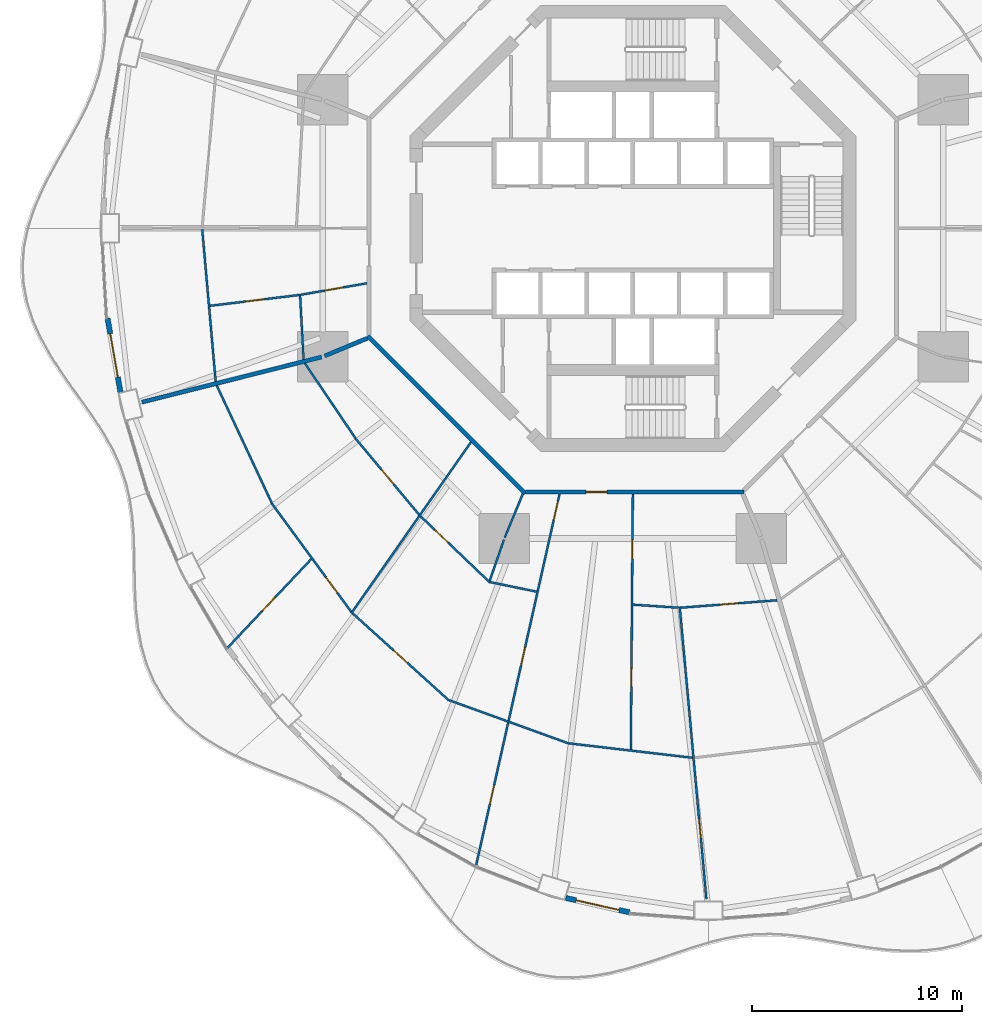
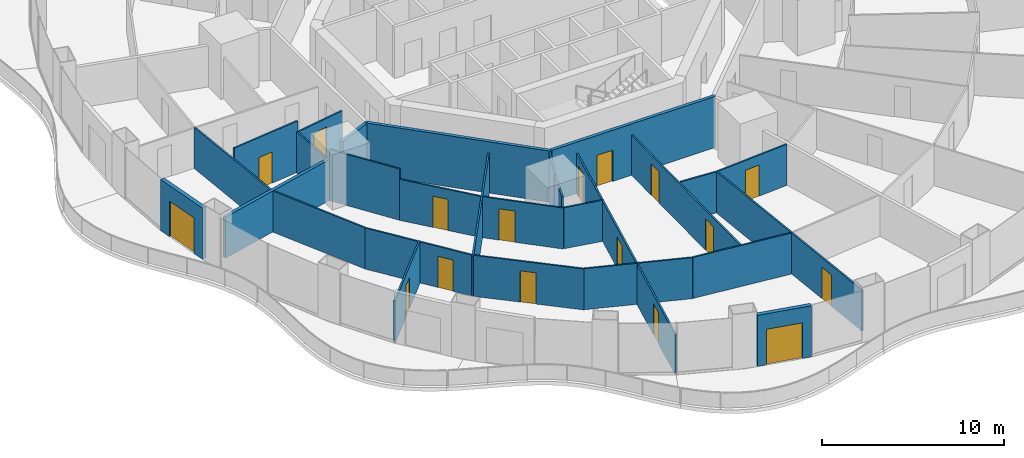
# One storey, part 14 of 22: 28 walls, 17 doors, 17 openings.
"""IFC4 building model written with IfcOpenShell, lengths in metres."""

from ifc_helpers import new_model, si_unit, direction, frame, frame_2d, origin, place, context, subcontext, project, spatial, rectangle, extrude, material, layer, layer_set, type_object, element, fill, save


model = new_model("IFC4")

# Units and contexts
model_context = context("Model", 3, precision=1e-05, world=origin(), true_north=direction((0.0, 1.0)))
body_context = subcontext(model_context, "Body", "Model", "MODEL_VIEW")
ifc_project = project(units=[si_unit("LENGTHUNIT", "METRE"), si_unit("AREAUNIT", "SQUARE_METRE"), si_unit("VOLUMEUNIT", "CUBIC_METRE"), si_unit("PLANEANGLEUNIT", "RADIAN"), si_unit("MASSUNIT", "GRAM", prefix="KILO")], contexts=[model_context])

# Site, building, storey
site_placement = place(None, origin())
site = spatial("IfcSite", under=ifc_project, at=site_placement, CompositionType="ELEMENT")
building_placement = place(site_placement, origin())
building = spatial("IfcBuilding", under=site, at=building_placement, Name="Nagisa Residences", CompositionType="ELEMENT")
storey_placement = place(building_placement, frame((0.0, 0.0, 52.89990234375)))
storey = spatial("IfcBuildingStorey", under=building, at=storey_placement, Name="L12", CompositionType="ELEMENT", Elevation=52.89990234375)

# Walls
ifc_material_1 = material(Name="Gypsum board on steel studs", Category="steel")
ifc_layer_1 = layer(ifc_material_1, 0.199951171875)
ifc_layer_set_1 = layer_set([ifc_layer_1], Name="Apartment compartment wall EI60 200")
wall_type_1 = type_object("IfcWallType", Name="Apartment compartment wall EI60 200", PredefinedType="PARTITIONING", material=ifc_layer_set_1)
wall_1_placement = place(storey_placement, frame((-12.6572265625, -5.24267578125, 0.0), z_axis=(0.0, 0.0, 1.0), x_axis=(-0.923885664896, -0.382668627144, 0.0)))
element("IfcWall", 1, at=wall_1_placement, inside=storey, type_object=wall_type_1, Name="wall:L12:u06", PredefinedType="PARTITIONING", context=body_context, shape_type="SweptSolid", body=[
    extrude(rectangle(XDim=2.200439453125, YDim=0.199951171875, at=frame_2d((1.10009765625, 0.0))), origin(), (0.0, 0.0, 1.0), 3.440185546875),
])
wall_2_placement = place(storey_placement, frame((-14.83056640625, -6.135009765625, 0.0), z_axis=(0.0, 0.0, 1.0), x_axis=(-0.969884949569, -0.243563512454, 0.0)))
element("IfcWall", 2, at=wall_2_placement, inside=storey, type_object=wall_type_1, Name="wall:L12:u07", PredefinedType="PARTITIONING", context=body_context, shape_type="SweptSolid", body=[
    extrude(rectangle(XDim=8.828857421875, YDim=0.199951171875, at=frame_2d((4.41455078125, 0.0))), origin(), (0.0, 0.0, 1.0), 2.756103515625),
])
ifc_material_2 = material(Name="Gypsum board on steel studs", Category="steel")
ifc_layer_2 = layer(ifc_material_2, 0.199951171875)
ifc_layer_set_2 = layer_set([ifc_layer_2], Name="Apartment entry wall EI60 200")
wall_type_2 = type_object("IfcWallType", Name="Apartment entry wall EI60 200", PredefinedType="PARTITIONING", material=ifc_layer_set_2)
wall_3_placement = place(storey_placement, frame((-12.635498046875, -5.1337890625, 0.0), z_axis=(0.0, 0.0, 1.0), x_axis=(0.707106781187, -0.707106781187, 0.0)))
element("IfcWall", 3, at=wall_3_placement, inside=storey, type_object=wall_type_2, Name="wall:L12:u15", PredefinedType="PARTITIONING", context=body_context, shape_type="SweptSolid", body=[
    extrude(rectangle(XDim=10.609130859375, YDim=0.199951171875, at=frame_2d((5.3046875, 0.0))), origin(), (0.0, 0.0, 1.0), 3.440185546875),
])

# Wall, opening, door
wall_4_placement = place(storey_placement, frame((-5.1044921875, -12.564697265625, 0.0), z_axis=(0.0, 0.0, 1.0), x_axis=(1.0, 0.0, 0.0)))
wall_4 = element("IfcWall", 4, at=wall_4_placement, inside=storey, type_object=wall_type_2, Name="wall:L12:u16", PredefinedType="PARTITIONING", context=body_context, shape_type="SweptSolid", body=[
    extrude(rectangle(XDim=10.408935546875, YDim=0.199951171875, at=frame_2d((5.20458984375, 0.0))), origin(), (0.0, 0.0, 1.0), 3.440185546875),
])
opening_1_placement = place(wall_4_placement, frame((2.86962890625, 0.0, 0.0)))
opening_1 = element("IfcOpeningElement", 5, at=opening_1_placement, cuts=wall_4, Name="Opening L12-U15", PredefinedType="OPENING", context=body_context, shape_type="SweptSolid", body=[
    extrude(rectangle(XDim=1.0, YDim=2.10009765625, at=frame_2d((0.5, 1.050048828125))), frame((0.0, 0.10986328125, 0.0), z_axis=(0.0, -1.0, 0.0), x_axis=(1.0, 0.0, 0.0)), (0.0, 0.0, 1.0), 0.219970703125),
])
ifc_material_3 = material(Name="Timber fire door set", Category="wood")
door_type_1 = type_object("IfcDoorType", Name="Apartment entry door FD30S 1000x2100", OperationType="NOTDEFINED", PredefinedType="DOOR", material=ifc_material_3)
door_1_placement = place(opening_1_placement, frame((1.0, 0.0, 0.0), x_axis=(-1.0, 0.0, 0.0)))
door_1 = element("IfcDoor", 6, at=door_1_placement, inside=storey, type_object=door_type_1, Name="Entry door, Apartment 12C", OperationType="SINGLE_SWING_RIGHT", OverallHeight=2.10009765625, OverallWidth=1.0, PredefinedType="DOOR", context=body_context, shape_type="SweptSolid", body=[
    extrude(rectangle(XDim=1.0, YDim=2.10009765625, at=frame_2d((0.5, 1.050048828125))), frame((0.0, 0.02490234375, 0.0), z_axis=(0.0, -1.0, 0.0), x_axis=(1.0, 0.0, 0.0)), (0.0, 0.0, 1.0), 0.050048828125),
])
fill(opening_1, door_1)

# Wall
ifc_material_4 = material(Name="Gypsum board on steel studs", Category="steel")
ifc_layer_3 = layer(ifc_material_4, 0.10009765625)
ifc_layer_set_3 = layer_set([ifc_layer_3], Name="Apartment partition 100")
wall_type_3 = type_object("IfcWallType", Name="Apartment partition 100", PredefinedType="PARTITIONING", material=ifc_layer_set_3)
wall_5_placement = place(storey_placement, frame((-20.518310546875, -0.0498046875, 0.0), z_axis=(0.0, 0.0, 1.0), x_axis=(0.088143415068, -0.996107794558, 0.0)))
element("IfcWall", 7, at=wall_5_placement, inside=storey, type_object=wall_type_3, Name="wall:L12:u56", PredefinedType="PARTITIONING", context=body_context, shape_type="SweptSolid", body=[
    extrude(rectangle(XDim=7.279052734375, YDim=0.10009765625, at=frame_2d((3.6396484375, 0.0))), origin(), (0.0, 0.0, 1.0), 2.756103515625),
])

# Wall, opening, door
wall_6_placement = place(storey_placement, frame((-12.663330078125, -2.619384765625, 0.0), z_axis=(0.0, 0.0, 1.0), x_axis=(-0.985220176102, -0.171292745325, 0.0)))
wall_6 = element("IfcWall", 8, at=wall_6_placement, inside=storey, type_object=wall_type_3, Name="wall:L12:u57", PredefinedType="PARTITIONING", context=body_context, shape_type="SweptSolid", body=[
    extrude(rectangle(XDim=3.191162109375, YDim=0.10009765625, at=frame_2d((1.595703125, 0.0))), origin(), (0.0, 0.0, 1.0), 2.68701171875),
])
opening_2_placement = place(wall_6_placement, frame((1.1455078125, 0.0, 0.0)))
opening_2 = element("IfcOpeningElement", 9, at=opening_2_placement, cuts=wall_6, Name="Opening L12-U10", PredefinedType="OPENING", context=body_context, shape_type="SweptSolid", body=[
    extrude(rectangle(XDim=0.89990234375, YDim=2.10009765625, at=frame_2d((0.449951171875, 1.050048828125))), frame((0.0, 0.06005859375, 0.0), z_axis=(0.0, -1.0, 0.0), x_axis=(1.0, 0.0, 0.0)), (0.0, 0.0, 1.0), 0.1201171875),
])
ifc_material_5 = material(Name="Timber door set", Category="wood")
door_type_2 = type_object("IfcDoorType", Name="Apartment door 900x2100", OperationType="NOTDEFINED", PredefinedType="DOOR", material=ifc_material_5)
door_2_placement = place(opening_2_placement, origin())
door_2 = element("IfcDoor", 10, at=door_2_placement, inside=storey, type_object=door_type_2, Name="Door to family bathroom, Apartment 12B", OperationType="SINGLE_SWING_RIGHT", OverallHeight=2.10009765625, OverallWidth=0.89990234375, PredefinedType="DOOR", context=body_context, shape_type="SweptSolid", body=[
    extrude(rectangle(XDim=0.89990234375, YDim=2.10009765625, at=frame_2d((0.449951171875, 1.050048828125))), frame((0.0, 0.02490234375, 0.0), z_axis=(0.0, -1.0, 0.0), x_axis=(1.0, 0.0, 0.0)), (0.0, 0.0, 1.0), 0.050048828125),
])
fill(opening_2, door_2)

wall_7_placement = place(storey_placement, frame((-15.806884765625, -3.16845703125, 0.0), z_axis=(0.0, 0.0, 1.0), x_axis=(-0.992741666002, -0.120266306938, 0.0)))
wall_7 = element("IfcWall", 11, at=wall_7_placement, inside=storey, type_object=wall_type_3, Name="wall:L12:u58", PredefinedType="PARTITIONING", context=body_context, shape_type="SweptSolid", body=[
    extrude(rectangle(XDim=4.37060546875, YDim=0.10009765625, at=frame_2d((2.185302734375, 0.0))), origin(), (0.0, 0.0, 1.0), 3.440185546875),
])
opening_3_placement = place(wall_7_placement, frame((1.76025390625, 0.0, 0.0)))
opening_3 = element("IfcOpeningElement", 12, at=opening_3_placement, cuts=wall_7, Name="Opening L12-U12", PredefinedType="OPENING", context=body_context, shape_type="SweptSolid", body=[
    extrude(rectangle(XDim=0.89990234375, YDim=2.10009765625, at=frame_2d((0.449951171875, 1.050048828125))), frame((0.0, 0.06005859375, 0.0), z_axis=(0.0, -1.0, 0.0), x_axis=(1.0, 0.0, 0.0)), (0.0, 0.0, 1.0), 0.1201171875),
])
door_3_placement = place(opening_3_placement, origin())
door_3 = element("IfcDoor", 13, at=door_3_placement, inside=storey, type_object=door_type_2, Name="Door to family bathroom, Apartment 12B", OperationType="SINGLE_SWING_RIGHT", OverallHeight=2.10009765625, OverallWidth=0.89990234375, PredefinedType="DOOR", context=body_context, shape_type="SweptSolid", body=[
    extrude(rectangle(XDim=0.89990234375, YDim=2.10009765625, at=frame_2d((0.449951171875, 1.050048828125))), frame((0.0, 0.02490234375, 0.0), z_axis=(0.0, -1.0, 0.0), x_axis=(1.0, 0.0, 0.0)), (0.0, 0.0, 1.0), 0.050048828125),
])
fill(opening_3, door_3)

# Walls
wall_8_placement = place(storey_placement, frame((-15.853759765625, -3.224609375, 0.0), z_axis=(0.0, 0.0, 1.0), x_axis=(0.054644199943, -0.998505889523, 0.0)))
element("IfcWall", 14, at=wall_8_placement, inside=storey, type_object=wall_type_3, Name="wall:L12:u59", PredefinedType="PARTITIONING", context=body_context, shape_type="SweptSolid", body=[
    extrude(rectangle(XDim=3.029296875, YDim=0.10009765625, at=frame_2d((1.5146484375, 0.0))), origin(), (0.0, 0.0, 1.0), 2.756103515625),
])
wall_9_placement = place(storey_placement, frame((-15.626953125, -6.43212890625, 0.0), z_axis=(0.0, 0.0, 1.0), x_axis=(0.559112679527, -0.829091678641, 0.0)))
element("IfcWall", 15, at=wall_9_placement, inside=storey, type_object=wall_type_3, Name="wall:L12:u60", PredefinedType="PARTITIONING", context=body_context, shape_type="SweptSolid", body=[
    extrude(rectangle(XDim=4.30810546875, YDim=0.10009765625, at=frame_2d((2.154052734375, 0.0))), origin(), (0.0, 0.0, 1.0), 3.440185546875),
])
wall_10_placement = place(storey_placement, frame((-19.82568359375, -7.49072265625, 0.0), z_axis=(0.0, 0.0, 1.0), x_axis=(0.423926333401, -0.905696673202, 0.0)))
element("IfcWall", 16, at=wall_10_placement, inside=storey, type_object=wall_type_3, Name="wall:L12:u61", PredefinedType="PARTITIONING", context=body_context, shape_type="SweptSolid", body=[
    extrude(rectangle(XDim=6.1875, YDim=0.10009765625, at=frame_2d((3.09375, 0.0))), origin(), (0.0, 0.0, 1.0), 2.756103515625),
])

# Wall, opening, door
wall_11_placement = place(storey_placement, frame((-13.222412109375, -10.0068359375, 0.0), z_axis=(0.0, 0.0, 1.0), x_axis=(0.640807748916, -0.767701393075, 0.0)))
wall_11 = element("IfcWall", 17, at=wall_11_placement, inside=storey, type_object=wall_type_3, Name="wall:L12:u62", PredefinedType="PARTITIONING", context=body_context, shape_type="SweptSolid", body=[
    extrude(rectangle(XDim=4.73681640625, YDim=0.10009765625, at=frame_2d((2.368408203125, 0.0))), origin(), (0.0, 0.0, 1.0), 2.756103515625),
])
opening_4_placement = place(wall_11_placement, frame((1.943359375, 0.0, 0.0)))
opening_4 = element("IfcOpeningElement", 18, at=opening_4_placement, cuts=wall_11, Name="Opening L12-U27", PredefinedType="OPENING", context=body_context, shape_type="SweptSolid", body=[
    extrude(rectangle(XDim=0.89990234375, YDim=2.10009765625, at=frame_2d((0.449951171875, 1.050048828125))), frame((0.0, 0.06005859375, 0.0), z_axis=(0.0, -1.0, 0.0), x_axis=(1.0, 0.0, 0.0)), (0.0, 0.0, 1.0), 0.1201171875),
])
door_4_placement = place(opening_4_placement, origin())
door_4 = element("IfcDoor", 19, at=door_4_placement, inside=storey, type_object=door_type_2, Name="Door to laundry, Apartment 12C", OperationType="SINGLE_SWING_LEFT", OverallHeight=2.10009765625, OverallWidth=0.89990234375, PredefinedType="DOOR", context=body_context, shape_type="SweptSolid", body=[
    extrude(rectangle(XDim=0.89990234375, YDim=2.10009765625, at=frame_2d((0.449951171875, 1.050048828125))), frame((0.0, 0.02490234375, 0.0), z_axis=(0.0, -1.0, 0.0), x_axis=(1.0, 0.0, 0.0)), (0.0, 0.0, 1.0), 0.050048828125),
])
fill(opening_4, door_4)

wall_12_placement = place(storey_placement, frame((-17.2109375, -13.099609375, 0.0), z_axis=(0.0, 0.0, 1.0), x_axis=(0.591206785834, -0.806520016109, 0.0)))
wall_12 = element("IfcWall", 20, at=wall_12_placement, inside=storey, type_object=wall_type_3, Name="wall:L12:u63", PredefinedType="PARTITIONING", context=body_context, shape_type="SweptSolid", body=[
    extrude(rectangle(XDim=6.409912109375, YDim=0.10009765625, at=frame_2d((3.205078125, 0.0))), origin(), (0.0, 0.0, 1.0), 2.756103515625),
])
opening_5_placement = place(wall_12_placement, frame((4.382568359375, 0.0, 0.0)))
opening_5 = element("IfcOpeningElement", 21, at=opening_5_placement, cuts=wall_12, Name="Opening L12-U25", PredefinedType="OPENING", context=body_context, shape_type="SweptSolid", body=[
    extrude(rectangle(XDim=0.89990234375, YDim=2.10009765625, at=frame_2d((0.449951171875, 1.050048828125))), frame((0.0, 0.06005859375, 0.0), z_axis=(0.0, -1.0, 0.0), x_axis=(1.0, 0.0, 0.0)), (0.0, 0.0, 1.0), 0.1201171875),
])
door_5_placement = place(opening_5_placement, origin())
door_5 = element("IfcDoor", 22, at=door_5_placement, inside=storey, type_object=door_type_2, Name="Door to dining room, Apartment 12C", OperationType="SINGLE_SWING_LEFT", OverallHeight=2.10009765625, OverallWidth=0.89990234375, PredefinedType="DOOR", context=body_context, shape_type="SweptSolid", body=[
    extrude(rectangle(XDim=0.89990234375, YDim=2.10009765625, at=frame_2d((0.449951171875, 1.050048828125))), frame((0.0, 0.02490234375, 0.0), z_axis=(0.0, -1.0, 0.0), x_axis=(1.0, 0.0, 0.0)), (0.0, 0.0, 1.0), 0.050048828125),
])
fill(opening_5, door_5)

wall_13_placement = place(storey_placement, frame((-15.321044921875, -15.76123046875, 0.0), z_axis=(0.0, 0.0, 1.0), x_axis=(-0.686519245775, -0.727111631856, 0.0)))
wall_13 = element("IfcWall", 23, at=wall_13_placement, inside=storey, type_object=wall_type_3, Name="wall:L12:u64", PredefinedType="PARTITIONING", context=body_context, shape_type="SweptSolid", body=[
    extrude(rectangle(XDim=5.912109375, YDim=0.10009765625, at=frame_2d((2.9560546875, 0.0))), origin(), (0.0, 0.0, 1.0), 2.837158203125),
])
opening_6_placement = place(wall_13_placement, frame((2.506103515625, 0.0, 0.0)))
opening_6 = element("IfcOpeningElement", 24, at=opening_6_placement, cuts=wall_13, Name="Opening L12-U26", PredefinedType="OPENING", context=body_context, shape_type="SweptSolid", body=[
    extrude(rectangle(XDim=0.89990234375, YDim=2.10009765625, at=frame_2d((0.449951171875, 1.050048828125))), frame((0.0, 0.06005859375, 0.0), z_axis=(0.0, -1.0, 0.0), x_axis=(1.0, 0.0, 0.0)), (0.0, 0.0, 1.0), 0.1201171875),
])
door_6_placement = place(opening_6_placement, frame((0.89990234375, 0.0, 0.0), x_axis=(-1.0, 0.0, 0.0)))
door_6 = element("IfcDoor", 25, at=door_6_placement, inside=storey, type_object=door_type_2, Name="Door to master bedroom, Apartment 12C", OperationType="SINGLE_SWING_LEFT", OverallHeight=2.10009765625, OverallWidth=0.89990234375, PredefinedType="DOOR", context=body_context, shape_type="SweptSolid", body=[
    extrude(rectangle(XDim=0.89990234375, YDim=2.10009765625, at=frame_2d((0.449951171875, 1.050048828125))), frame((0.0, 0.02490234375, 0.0), z_axis=(0.0, -1.0, 0.0), x_axis=(1.0, 0.0, 0.0)), (0.0, 0.0, 1.0), 0.050048828125),
])
fill(opening_6, door_6)

# Wall
wall_14_placement = place(storey_placement, frame((-7.71533203125, -10.193359375, 0.0), z_axis=(0.0, 0.0, 1.0), x_axis=(-0.573126502256, -0.819466907454, 0.0)))
element("IfcWall", 26, at=wall_14_placement, inside=storey, type_object=wall_type_3, Name="wall:L12:u65", PredefinedType="PARTITIONING", context=body_context, shape_type="SweptSolid", body=[
    extrude(rectangle(XDim=9.954345703125, YDim=0.10009765625, at=frame_2d((4.97705078125, 0.0))), origin(), (0.0, 0.0, 1.0), 2.68701171875),
])

# Wall, opening, door
wall_15_placement = place(storey_placement, frame((-10.118896484375, -13.716064453125, 0.0), z_axis=(0.0, 0.0, 1.0), x_axis=(0.722763212502, -0.69109575216, 0.0)))
wall_15 = element("IfcWall", 27, at=wall_15_placement, inside=storey, type_object=wall_type_3, Name="wall:L12:u66", PredefinedType="PARTITIONING", context=body_context, shape_type="SweptSolid", body=[
    extrude(rectangle(XDim=4.587158203125, YDim=0.10009765625, at=frame_2d((2.29345703125, 0.0))), origin(), (0.0, 0.0, 1.0), 2.756103515625),
])
opening_7_placement = place(wall_15_placement, frame((0.9375, 0.0, 0.0)))
opening_7 = element("IfcOpeningElement", 28, at=opening_7_placement, cuts=wall_15, Name="Opening L12-U24", PredefinedType="OPENING", context=body_context, shape_type="SweptSolid", body=[
    extrude(rectangle(XDim=0.89990234375, YDim=2.10009765625, at=frame_2d((0.449951171875, 1.050048828125))), frame((0.0, 0.06005859375, 0.0), z_axis=(0.0, -1.0, 0.0), x_axis=(1.0, 0.0, 0.0)), (0.0, 0.0, 1.0), 0.1201171875),
])
door_7_placement = place(opening_7_placement, origin())
door_7 = element("IfcDoor", 29, at=door_7_placement, inside=storey, type_object=door_type_2, Name="Door to store, Apartment 12C", OperationType="SINGLE_SWING_RIGHT", OverallHeight=2.10009765625, OverallWidth=0.89990234375, PredefinedType="DOOR", context=body_context, shape_type="SweptSolid", body=[
    extrude(rectangle(XDim=0.89990234375, YDim=2.10009765625, at=frame_2d((0.449951171875, 1.050048828125))), frame((0.0, 0.02490234375, 0.0), z_axis=(0.0, -1.0, 0.0), x_axis=(1.0, 0.0, 0.0)), (0.0, 0.0, 1.0), 0.050048828125),
])
fill(opening_7, door_7)

wall_16_placement = place(storey_placement, frame((-13.354736328125, -18.34326171875, 0.0), z_axis=(0.0, 0.0, 1.0), x_axis=(0.741720189244, -0.670709445936, 0.0)))
wall_16 = element("IfcWall", 30, at=wall_16_placement, inside=storey, type_object=wall_type_3, Name="wall:L12:u67", PredefinedType="PARTITIONING", context=body_context, shape_type="SweptSolid", body=[
    extrude(rectangle(XDim=6.209228515625, YDim=0.10009765625, at=frame_2d((3.1044921875, 0.0))), origin(), (0.0, 0.0, 1.0), 2.756103515625),
])
opening_8_placement = place(wall_16_placement, frame((2.629638671875, 0.0, 0.0)))
opening_8 = element("IfcOpeningElement", 31, at=opening_8_placement, cuts=wall_16, Name="Opening L12-U21", PredefinedType="OPENING", context=body_context, shape_type="SweptSolid", body=[
    extrude(rectangle(XDim=0.89990234375, YDim=2.10009765625, at=frame_2d((0.449951171875, 1.050048828125))), frame((0.0, 0.06005859375, 0.0), z_axis=(0.0, -1.0, 0.0), x_axis=(1.0, 0.0, 0.0)), (0.0, 0.0, 1.0), 0.1201171875),
])
door_8_placement = place(opening_8_placement, frame((0.89990234375, 0.0, 0.0), x_axis=(-1.0, 0.0, 0.0)))
door_8 = element("IfcDoor", 32, at=door_8_placement, inside=storey, type_object=door_type_2, Name="Door to living room, Apartment 12C", OperationType="SINGLE_SWING_RIGHT", OverallHeight=2.10009765625, OverallWidth=0.89990234375, PredefinedType="DOOR", context=body_context, shape_type="SweptSolid", body=[
    extrude(rectangle(XDim=0.89990234375, YDim=2.10009765625, at=frame_2d((0.449951171875, 1.050048828125))), frame((0.0, 0.02490234375, 0.0), z_axis=(0.0, -1.0, 0.0), x_axis=(1.0, 0.0, 0.0)), (0.0, 0.0, 1.0), 0.050048828125),
])
fill(opening_8, door_8)

# Walls
wall_17_placement = place(storey_placement, frame((-5.24267578125, -12.6572265625, 0.0), z_axis=(0.0, 0.0, 1.0), x_axis=(-0.382719158442, -0.923864733477, 0.0)))
element("IfcWall", 33, at=wall_17_placement, inside=storey, type_object=wall_type_3, Name="wall:L12:u68", PredefinedType="PARTITIONING", context=body_context, shape_type="SweptSolid", body=[
    extrude(rectangle(XDim=2.25, YDim=0.10009765625, at=frame_2d((1.125, 0.0))), origin(), (0.0, 0.0, 1.0), 3.440185546875),
])
wall_18_placement = place(storey_placement, frame((-6.139404296875, -14.829833984375, 0.0), z_axis=(0.0, 0.0, 1.0), x_axis=(-0.327246993321, -0.944938836837, 0.0)))
element("IfcWall", 34, at=wall_18_placement, inside=storey, type_object=wall_type_3, Name="wall:L12:u69", PredefinedType="PARTITIONING", context=body_context, shape_type="SweptSolid", body=[
    extrude(rectangle(XDim=2.089599609375, YDim=0.10009765625, at=frame_2d((1.044921875, 0.0))), origin(), (0.0, 0.0, 1.0), 3.440185546875),
])
wall_19_placement = place(storey_placement, frame((-6.79052734375, -16.861572265625, 0.0), z_axis=(0.0, 0.0, 1.0), x_axis=(0.979581941859, -0.201045316246, 0.0)))
element("IfcWall", 35, at=wall_19_placement, inside=storey, type_object=wall_type_3, Name="wall:L12:u70", PredefinedType="PARTITIONING", context=body_context, shape_type="SweptSolid", body=[
    extrude(rectangle(XDim=2.25634765625, YDim=0.10009765625, at=frame_2d((1.128173828125, 0.0))), origin(), (0.0, 0.0, 1.0), 2.756103515625),
])
wall_20_placement = place(storey_placement, frame((-8.7392578125, -22.4912109375, 0.0), z_axis=(0.0, 0.0, 1.0), x_axis=(0.940401691072, -0.340065669288, 0.0)))
element("IfcWall", 36, at=wall_20_placement, inside=storey, type_object=wall_type_3, Name="wall:L12:u71", PredefinedType="PARTITIONING", context=body_context, shape_type="SweptSolid", body=[
    extrude(rectangle(XDim=6.067138671875, YDim=0.10009765625, at=frame_2d((3.03369140625, 0.0))), origin(), (0.0, 0.0, 1.0), 2.756103515625),
])

# Wall, openings, doors
wall_21_placement = place(storey_placement, frame((-3.49169921875, -12.662353515625, 0.0), z_axis=(0.0, 0.0, 1.0), x_axis=(-0.219268088006, -0.975664648115, 0.0)))
wall_21 = element("IfcWall", 37, at=wall_21_placement, inside=storey, type_object=wall_type_3, Name="wall:L12:u72", PredefinedType="PARTITIONING", context=body_context, shape_type="SweptSolid", body=[
    extrude(rectangle(XDim=18.230224609375, YDim=0.10009765625, at=frame_2d((9.115234375, 0.0))), origin(), (0.0, 0.0, 1.0), 2.68701171875),
])
opening_9_placement = place(wall_21_placement, frame((0.35009765625, 0.0, 0.0)))
opening_9 = element("IfcOpeningElement", 38, at=opening_9_placement, cuts=wall_21, Name="Opening L12-U16", PredefinedType="OPENING", context=body_context, shape_type="SweptSolid", body=[
    extrude(rectangle(XDim=0.89990234375, YDim=2.10009765625, at=frame_2d((0.449951171875, 1.050048828125))), frame((0.0, 0.06005859375, 0.0), z_axis=(0.0, -1.0, 0.0), x_axis=(1.0, 0.0, 0.0)), (0.0, 0.0, 1.0), 0.1201171875),
])
opening_10_placement = place(wall_21_placement, frame((7.49658203125, 0.0, 0.0)))
opening_10 = element("IfcOpeningElement", 39, at=opening_10_placement, cuts=wall_21, Name="Opening L12-U18", PredefinedType="OPENING", context=body_context, shape_type="SweptSolid", body=[
    extrude(rectangle(XDim=0.89990234375, YDim=2.10009765625, at=frame_2d((0.449951171875, 1.050048828125))), frame((0.0, 0.06005859375, 0.0), z_axis=(0.0, -1.0, 0.0), x_axis=(1.0, 0.0, 0.0)), (0.0, 0.0, 1.0), 0.1201171875),
])
opening_11_placement = place(wall_21_placement, frame((14.22265625, 0.0, 0.0)))
opening_11 = element("IfcOpeningElement", 40, at=opening_11_placement, cuts=wall_21, Name="Opening L12-U22", PredefinedType="OPENING", context=body_context, shape_type="SweptSolid", body=[
    extrude(rectangle(XDim=0.89990234375, YDim=2.10009765625, at=frame_2d((0.449951171875, 1.050048828125))), frame((0.0, 0.06005859375, 0.0), z_axis=(0.0, -1.0, 0.0), x_axis=(1.0, 0.0, 0.0)), (0.0, 0.0, 1.0), 0.1201171875),
])
door_9_placement = place(opening_9_placement, frame((0.89990234375, 0.0, 0.0), x_axis=(-1.0, 0.0, 0.0)))
door_9 = element("IfcDoor", 41, at=door_9_placement, inside=storey, type_object=door_type_2, Name="Door to family bathroom, Apartment 12C", OperationType="SINGLE_SWING_LEFT", OverallHeight=2.10009765625, OverallWidth=0.89990234375, PredefinedType="DOOR", context=body_context, shape_type="SweptSolid", body=[
    extrude(rectangle(XDim=0.89990234375, YDim=2.10009765625, at=frame_2d((0.449951171875, 1.050048828125))), frame((0.0, 0.02490234375, 0.0), z_axis=(0.0, -1.0, 0.0), x_axis=(1.0, 0.0, 0.0)), (0.0, 0.0, 1.0), 0.050048828125),
])
fill(opening_9, door_9)
door_10_placement = place(opening_10_placement, frame((0.89990234375, 0.0, 0.0), x_axis=(-1.0, 0.0, 0.0)))
door_10 = element("IfcDoor", 42, at=door_10_placement, inside=storey, type_object=door_type_2, Name="Door to family room, Apartment 12C", OperationType="SINGLE_SWING_LEFT", OverallHeight=2.10009765625, OverallWidth=0.89990234375, PredefinedType="DOOR", context=body_context, shape_type="SweptSolid", body=[
    extrude(rectangle(XDim=0.89990234375, YDim=2.10009765625, at=frame_2d((0.449951171875, 1.050048828125))), frame((0.0, 0.02490234375, 0.0), z_axis=(0.0, -1.0, 0.0), x_axis=(1.0, 0.0, 0.0)), (0.0, 0.0, 1.0), 0.050048828125),
])
fill(opening_10, door_10)
door_11_placement = place(opening_11_placement, origin())
door_11 = element("IfcDoor", 43, at=door_11_placement, inside=storey, type_object=door_type_2, Name="Door to dining room, Apartment 12C", OperationType="SINGLE_SWING_RIGHT", OverallHeight=2.10009765625, OverallWidth=0.89990234375, PredefinedType="DOOR", context=body_context, shape_type="SweptSolid", body=[
    extrude(rectangle(XDim=0.89990234375, YDim=2.10009765625, at=frame_2d((0.449951171875, 1.050048828125))), frame((0.0, 0.02490234375, 0.0), z_axis=(0.0, -1.0, 0.0), x_axis=(1.0, 0.0, 0.0)), (0.0, 0.0, 1.0), 0.050048828125),
])
fill(opening_11, door_11)

# Wall
wall_22_placement = place(storey_placement, frame((-3.03125, -24.543212890625, 0.0), z_axis=(0.0, 0.0, 1.0), x_axis=(0.993255612046, -0.115945198862, 0.0)))
element("IfcWall", 44, at=wall_22_placement, inside=storey, type_object=wall_type_3, Name="wall:L12:u73", PredefinedType="PARTITIONING", context=body_context, shape_type="SweptSolid", body=[
    extrude(rectangle(XDim=5.91259765625, YDim=0.10009765625, at=frame_2d((2.956298828125, 0.0))), origin(), (0.0, 0.0, 1.0), 2.756103515625),
])

# Wall, openings, doors
wall_23_placement = place(storey_placement, frame((-0.000732421875, -12.664794921875, 0.0), z_axis=(0.0, 0.0, 1.0), x_axis=(-0.007702417287, -0.999970335944, 0.0)))
wall_23 = element("IfcWall", 45, at=wall_23_placement, inside=storey, type_object=wall_type_3, Name="wall:L12:u74", PredefinedType="PARTITIONING", context=body_context, shape_type="SweptSolid", body=[
    extrude(rectangle(XDim=12.17138671875, YDim=0.10009765625, at=frame_2d((6.085693359375, 0.0))), origin(), (0.0, 0.0, 1.0), 2.68701171875),
])
opening_12_placement = place(wall_23_placement, frame((2.182861328125, 0.0, 0.0)))
opening_12 = element("IfcOpeningElement", 46, at=opening_12_placement, cuts=wall_23, Name="Opening L12-U17", PredefinedType="OPENING", context=body_context, shape_type="SweptSolid", body=[
    extrude(rectangle(XDim=0.89990234375, YDim=2.10009765625, at=frame_2d((0.449951171875, 1.050048828125))), frame((0.0, 0.06005859375, 0.0), z_axis=(0.0, -1.0, 0.0), x_axis=(1.0, 0.0, 0.0)), (0.0, 0.0, 1.0), 0.1201171875),
])
opening_13_placement = place(wall_23_placement, frame((8.268798828125, 0.0, 0.0)))
opening_13 = element("IfcOpeningElement", 47, at=opening_13_placement, cuts=wall_23, Name="Opening L12-U19", PredefinedType="OPENING", context=body_context, shape_type="SweptSolid", body=[
    extrude(rectangle(XDim=0.89990234375, YDim=2.10009765625, at=frame_2d((0.449951171875, 1.050048828125))), frame((0.0, 0.06005859375, 0.0), z_axis=(0.0, -1.0, 0.0), x_axis=(1.0, 0.0, 0.0)), (0.0, 0.0, 1.0), 0.1201171875),
])
door_12_placement = place(opening_12_placement, origin())
door_12 = element("IfcDoor", 48, at=door_12_placement, inside=storey, type_object=door_type_2, Name="Door to store, Apartment 12C", OperationType="SINGLE_SWING_LEFT", OverallHeight=2.10009765625, OverallWidth=0.89990234375, PredefinedType="DOOR", context=body_context, shape_type="SweptSolid", body=[
    extrude(rectangle(XDim=0.89990234375, YDim=2.10009765625, at=frame_2d((0.449951171875, 1.050048828125))), frame((0.0, 0.02490234375, 0.0), z_axis=(0.0, -1.0, 0.0), x_axis=(1.0, 0.0, 0.0)), (0.0, 0.0, 1.0), 0.050048828125),
])
fill(opening_12, door_12)
door_13_placement = place(opening_13_placement, origin())
door_13 = element("IfcDoor", 49, at=door_13_placement, inside=storey, type_object=door_type_2, Name="Door to family bathroom, Apartment 12C", OperationType="SINGLE_SWING_LEFT", OverallHeight=2.10009765625, OverallWidth=0.89990234375, PredefinedType="DOOR", context=body_context, shape_type="SweptSolid", body=[
    extrude(rectangle(XDim=0.89990234375, YDim=2.10009765625, at=frame_2d((0.449951171875, 1.050048828125))), frame((0.0, 0.02490234375, 0.0), z_axis=(0.0, -1.0, 0.0), x_axis=(1.0, 0.0, 0.0)), (0.0, 0.0, 1.0), 0.050048828125),
])
fill(opening_13, door_13)

# Wall
wall_24_placement = place(storey_placement, frame((0.008544921875, -17.933837890625, 0.0), z_axis=(0.0, 0.0, 1.0), x_axis=(0.997794542617, -0.066378089183, 0.0)))
element("IfcWall", 50, at=wall_24_placement, inside=storey, type_object=wall_type_3, Name="wall:L12:u75", PredefinedType="PARTITIONING", context=body_context, shape_type="SweptSolid", body=[
    extrude(rectangle(XDim=2.184814453125, YDim=0.10009765625, at=frame_2d((1.09228515625, 0.0))), origin(), (0.0, 0.0, 1.0), 2.756103515625),
])

# Wall, opening, door
wall_25_placement = place(storey_placement, frame((2.23388671875, -18.032470703125, 0.0), z_axis=(0.0, 0.0, 1.0), x_axis=(0.090891502968, -0.995860800859, 0.0)))
wall_25 = element("IfcWall", 51, at=wall_25_placement, inside=storey, type_object=wall_type_3, Name="wall:L12:u76", PredefinedType="PARTITIONING", context=body_context, shape_type="SweptSolid", body=[
    extrude(rectangle(XDim=13.983642578125, YDim=0.10009765625, at=frame_2d((6.99169921875, 0.0))), origin(), (0.0, 0.0, 1.0), 2.756103515625),
])
opening_14_placement = place(wall_25_placement, frame((10.157958984375, 0.0, 0.0)))
opening_14 = element("IfcOpeningElement", 52, at=opening_14_placement, cuts=wall_25, Name="Opening L12-U23", PredefinedType="OPENING", context=body_context, shape_type="SweptSolid", body=[
    extrude(rectangle(XDim=0.89990234375, YDim=2.10009765625, at=frame_2d((0.449951171875, 1.050048828125))), frame((0.0, 0.06005859375, 0.0), z_axis=(0.0, -1.0, 0.0), x_axis=(1.0, 0.0, 0.0)), (0.0, 0.0, 1.0), 0.1201171875),
])
door_14_placement = place(opening_14_placement, origin())
door_14 = element("IfcDoor", 53, at=door_14_placement, inside=storey, type_object=door_type_2, Name="Door to master bedroom, Apartment 12C", OperationType="SINGLE_SWING_LEFT", OverallHeight=2.10009765625, OverallWidth=0.89990234375, PredefinedType="DOOR", context=body_context, shape_type="SweptSolid", body=[
    extrude(rectangle(XDim=0.89990234375, YDim=2.10009765625, at=frame_2d((0.449951171875, 1.050048828125))), frame((0.0, 0.02490234375, 0.0), z_axis=(0.0, -1.0, 0.0), x_axis=(1.0, 0.0, 0.0)), (0.0, 0.0, 1.0), 0.050048828125),
])
fill(opening_14, door_14)

wall_26_placement = place(storey_placement, frame((2.288330078125, -18.078369140625, 0.0), z_axis=(0.0, 0.0, 1.0), x_axis=(0.99701850123, 0.077162868047, 0.0)))
wall_26 = element("IfcWall", 54, at=wall_26_placement, inside=storey, type_object=wall_type_3, Name="wall:L12:u77", PredefinedType="PARTITIONING", context=body_context, shape_type="SweptSolid", body=[
    extrude(rectangle(XDim=4.603515625, YDim=0.10009765625, at=frame_2d((2.3017578125, 0.0))), origin(), (0.0, 0.0, 1.0), 2.756103515625),
])
opening_15_placement = place(wall_26_placement, frame((1.851806640625, 0.0, 0.0)))
opening_15 = element("IfcOpeningElement", 55, at=opening_15_placement, cuts=wall_26, Name="Opening L12-U20", PredefinedType="OPENING", context=body_context, shape_type="SweptSolid", body=[
    extrude(rectangle(XDim=0.89990234375, YDim=2.10009765625, at=frame_2d((0.449951171875, 1.050048828125))), frame((0.0, 0.06005859375, 0.0), z_axis=(0.0, -1.0, 0.0), x_axis=(1.0, 0.0, 0.0)), (0.0, 0.0, 1.0), 0.1201171875),
])
door_15_placement = place(opening_15_placement, frame((0.89990234375, 0.0, 0.0), x_axis=(-1.0, 0.0, 0.0)))
door_15 = element("IfcDoor", 56, at=door_15_placement, inside=storey, type_object=door_type_2, Name="Door to kitchen, Apartment 12C", OperationType="SINGLE_SWING_LEFT", OverallHeight=2.10009765625, OverallWidth=0.89990234375, PredefinedType="DOOR", context=body_context, shape_type="SweptSolid", body=[
    extrude(rectangle(XDim=0.89990234375, YDim=2.10009765625, at=frame_2d((0.449951171875, 1.050048828125))), frame((0.0, 0.02490234375, 0.0), z_axis=(0.0, -1.0, 0.0), x_axis=(1.0, 0.0, 0.0)), (0.0, 0.0, 1.0), 0.050048828125),
])
fill(opening_15, door_15)

ifc_material_6 = material(Name="Precast concrete C40/50", Category="concrete")
ifc_layer_4 = layer(ifc_material_6, 0.25)
ifc_layer_set_4 = layer_set([ifc_layer_4], Name="BALCONY DOOR WALL 250")
wall_type_4 = type_object("IfcWallType", Name="BALCONY DOOR WALL 250", PredefinedType="SOLIDWALL", material=ifc_layer_set_4)
wall_27_placement = place(storey_placement, frame((-24.4091796875, -7.830078125, 0.0), z_axis=(0.0, 0.0, 1.0), x_axis=(-0.172217377323, 0.98505897029, 0.0)))
wall_27 = element("IfcWall", 57, at=wall_27_placement, inside=storey, type_object=wall_type_4, Name="wall:L12:bay25", PredefinedType="SOLIDWALL", context=body_context, shape_type="SweptSolid", body=[
    extrude(rectangle(XDim=3.597900390625, YDim=0.25, at=frame_2d((1.798828125, 0.0))), origin(), (0.0, 0.0, 1.0), 3.440185546875),
])
opening_16_placement = place(wall_27_placement, frame((0.7490234375, 0.0, 0.0)))
opening_16 = element("IfcOpeningElement", 58, at=opening_16_placement, cuts=wall_27, Name="Opening BD-L12-09", PredefinedType="OPENING", context=body_context, shape_type="SweptSolid", body=[
    extrude(rectangle(XDim=2.10009765625, YDim=2.39990234375, at=frame_2d((1.050048828125, 1.199951171875))), frame((0.0, 0.135009765625, 0.0), z_axis=(0.0, -1.0, 0.0), x_axis=(1.0, 0.0, 0.0)), (0.0, 0.0, 1.0), 0.27001953125),
])
ifc_material_7 = material(Name="Aluminium and clear glass", Category="aluminium")
door_type_3 = type_object("IfcDoorType", Name="BALCONY SLIDING DOOR 2100x2400", OperationType="SLIDING_TO_LEFT", PredefinedType="DOOR", material=ifc_material_7)
door_16_placement = place(opening_16_placement, origin())
door_16 = element("IfcDoor", 59, at=door_16_placement, inside=storey, type_object=door_type_3, Name="door:L12:bay25", OperationType="SLIDING_TO_LEFT", OverallHeight=2.39990234375, OverallWidth=2.10009765625, PredefinedType="DOOR", context=body_context, shape_type="SweptSolid", body=[
    extrude(rectangle(XDim=2.10009765625, YDim=2.39990234375, at=frame_2d((1.050048828125, 1.199951171875))), frame((0.0, 0.02490234375, 0.0), z_axis=(0.0, -1.0, 0.0), x_axis=(1.0, 0.0, 0.0)), (0.0, 0.0, 1.0), 0.050048828125),
])
fill(opening_16, door_16)

wall_28_placement = place(storey_placement, frame((-0.15771484375, -32.595703125, 0.0), z_axis=(0.0, 0.0, 1.0), x_axis=(-0.975331134677, 0.220746863466, 0.0)))
wall_28 = element("IfcWall", 60, at=wall_28_placement, inside=storey, type_object=wall_type_4, Name="wall:L12:bay34", PredefinedType="SOLIDWALL", context=body_context, shape_type="SweptSolid", body=[
    extrude(rectangle(XDim=3.114501953125, YDim=0.25, at=frame_2d((1.55712890625, 0.0))), origin(), (0.0, 0.0, 1.0), 3.440185546875),
])
opening_17_placement = place(wall_28_placement, frame((0.50732421875, 0.0, 0.0)))
opening_17 = element("IfcOpeningElement", 61, at=opening_17_placement, cuts=wall_28, Name="Opening BD-L12-12", PredefinedType="OPENING", context=body_context, shape_type="SweptSolid", body=[
    extrude(rectangle(XDim=2.10009765625, YDim=2.39990234375, at=frame_2d((1.050048828125, 1.199951171875))), frame((0.0, 0.135009765625, 0.0), z_axis=(0.0, -1.0, 0.0), x_axis=(1.0, 0.0, 0.0)), (0.0, 0.0, 1.0), 0.27001953125),
])
door_17_placement = place(opening_17_placement, origin())
door_17 = element("IfcDoor", 62, at=door_17_placement, inside=storey, type_object=door_type_3, Name="door:L12:bay34", OperationType="SLIDING_TO_LEFT", OverallHeight=2.39990234375, OverallWidth=2.10009765625, PredefinedType="DOOR", context=body_context, shape_type="SweptSolid", body=[
    extrude(rectangle(XDim=2.10009765625, YDim=2.39990234375, at=frame_2d((1.050048828125, 1.199951171875))), frame((0.0, 0.02490234375, 0.0), z_axis=(0.0, -1.0, 0.0), x_axis=(1.0, 0.0, 0.0)), (0.0, 0.0, 1.0), 0.050048828125),
])
fill(opening_17, door_17)

save(model, "model.ifc")
